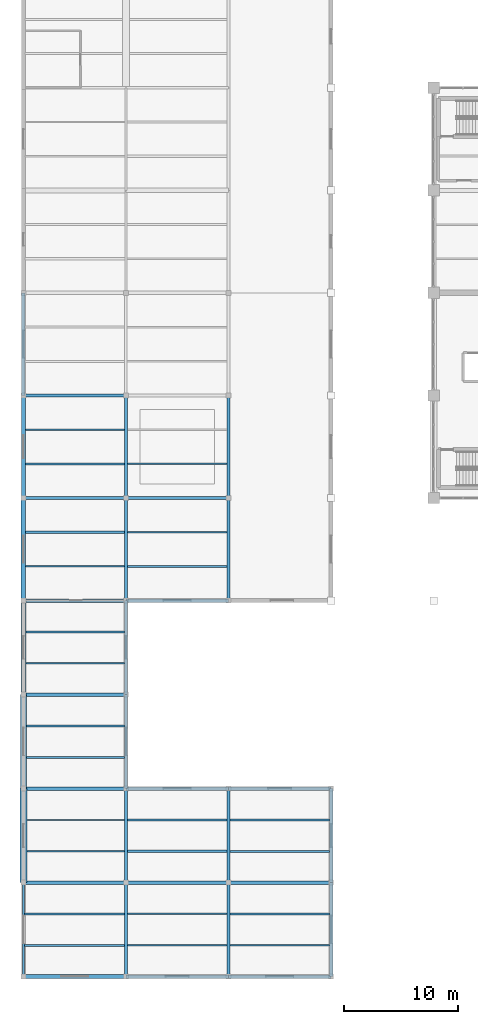
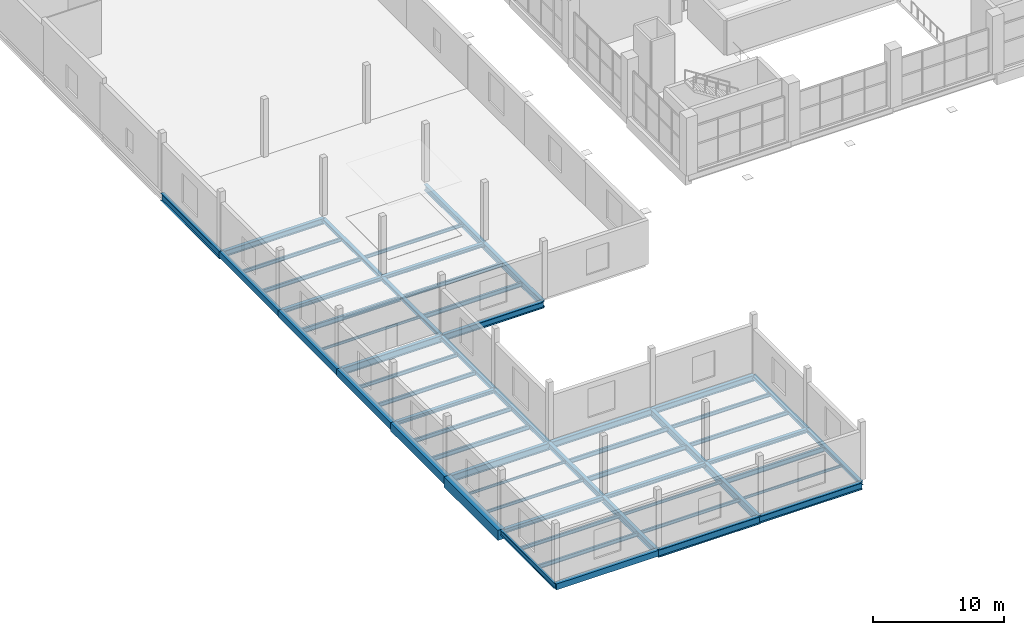
# One storey, part 12 of 147: 57 beams.
"""IFC4 building model written with IfcOpenShell, lengths in metres."""

import ifcopenshell
import ifcopenshell.guid

model = None  # the IFC model being written
_history = None  # IfcOwnerHistory: only IFC2X3 demands one
_inside = {}  # id of a spatial element -> (the spatial element, [elements in it])
_under = {}  # id of a project, library or spatial element -> (it, [spatial elements below it])
_declared = {}  # id of a project -> (the project, [libraries it declares])
_typed = {}  # id of a type object -> (the type object, [elements of that type])
_made_of = {}  # id of a material, layer set ... -> (it, [elements and type objects made of it])


def new_model(schema):
    """Start an empty IFC model of exactly this schema.

    Asked for "IFC4X3", IfcOpenShell would pick the latest addendum, in which some entities
    have other attributes; the version numbers below select the first issue.
    IFC2X3 requires an IfcOwnerHistory on every rooted entity: one is made here for all.
    """
    global model, _history
    if schema == "IFC4X3":
        model = ifcopenshell.file(schema_version=(4, 3, 0, 0))
    else:
        model = ifcopenshell.file(schema=schema)
    _inside.clear()
    _under.clear()
    _declared.clear()
    _typed.clear()
    _made_of.clear()
    _history = None
    if model.schema == "IFC2X3":
        org = make("IfcOrganization", Name="unknown")
        user = make(
            "IfcPersonAndOrganization",
            ThePerson=make("IfcPerson", FamilyName="unknown"),
            TheOrganization=org,
        )
        app = make(
            "IfcApplication",
            ApplicationDeveloper=org,
            Version="unknown",
            ApplicationFullName="unknown",
            ApplicationIdentifier="unknown",
        )
        _history = make(
            "IfcOwnerHistory",
            OwningUser=user,
            OwningApplication=app,
            ChangeAction="ADDED",
            CreationDate=0,
        )
    return model


def make(cls, **values):
    """One entity of the class cls with the attributes given. An attribute that is None is left unset."""
    return model.create_entity(
        cls, **{name: value for name, value in values.items() if value is not None}
    )


def rooted(cls, **values):
    """An entity with a GlobalId (a new one), such as an element, a storey or a relation."""
    return make(cls, GlobalId=ifcopenshell.guid.new(), OwnerHistory=_history, **values)


def si_unit(unit_type, name, prefix=None):
    """IfcSIUnit, for example si_unit("LENGTHUNIT", "METRE", prefix="MILLI")."""
    return make("IfcSIUnit", UnitType=unit_type, Prefix=prefix, Name=name)


def assignment(units):
    """IfcUnitAssignment: the units of a project."""
    return None if units is None else make("IfcUnitAssignment", Units=units)


def point(xyz):
    """IfcCartesianPoint."""
    return None if xyz is None else make("IfcCartesianPoint", Coordinates=xyz)


def direction(xyz):
    """IfcDirection."""
    return None if xyz is None else make("IfcDirection", DirectionRatios=xyz)


def frame(location, z_axis=None, x_axis=None):
    """IfcAxis2Placement3D, a coordinate frame: its origin and axes. An axis left out is left unset."""
    return make(
        "IfcAxis2Placement3D",
        Location=point(location),
        Axis=direction(z_axis),
        RefDirection=direction(x_axis),
    )


def frame_2d(location, x_axis=None):
    """IfcAxis2Placement2D, a coordinate frame in the plane: its origin and x axis."""
    return make(
        "IfcAxis2Placement2D", Location=point(location), RefDirection=direction(x_axis)
    )


def origin():
    """The frame at (0, 0, 0) with its axes left unset."""
    return frame((0.0, 0.0, 0.0))


def origin_2d():
    """The frame at (0, 0) in the plane with its x axis left unset."""
    return frame_2d((0.0, 0.0))


def place(relative_to, where):
    """IfcLocalPlacement: puts the frame where relative to a parent placement (None: the world)."""
    return make(
        "IfcLocalPlacement", PlacementRelTo=relative_to, RelativePlacement=where
    )


def context(
    kind, dimensions, precision=None, world=None, true_north=None, identifier=None
):
    """IfcGeometricRepresentationContext, for example the 3D "Model" context."""
    return make(
        "IfcGeometricRepresentationContext",
        ContextIdentifier=identifier,
        ContextType=kind,
        CoordinateSpaceDimension=dimensions,
        Precision=precision,
        WorldCoordinateSystem=world,
        TrueNorth=true_north,
    )


def subcontext(parent, identifier, kind, view, scale=None):
    """IfcGeometricRepresentationSubContext, for example "Body" below "Model"."""
    return make(
        "IfcGeometricRepresentationSubContext",
        ContextIdentifier=identifier,
        ContextType=kind,
        ParentContext=parent,
        TargetScale=scale,
        TargetView=view,
    )


def project(units=None, contexts=None):
    """IfcProject with its units and contexts."""
    return rooted(
        "IfcProject",
        Name="project",
        RepresentationContexts=contexts,
        UnitsInContext=assignment(units),
    )


def spatial(cls, under=None, at=None, **own):
    """A site, building, storey or space (cls), placed at a placement, below another one or the project."""
    s = rooted(cls, ObjectPlacement=at, **own)
    if under is not None:
        _under.setdefault(under.id(), (under, []))[1].append(s)
    return s


def profile(cls, at=None, kind="AREA", **sizes):
    """A parametric profile (cls). Its sizes go by their IFC names, for example OverallWidth=200.0."""
    return make(cls, ProfileType=kind, Position=at, **sizes)


def rectangle(**sizes):
    """IfcRectangleProfileDef."""
    return profile("IfcRectangleProfileDef", **sizes)


def i_section(**sizes):
    """IfcIShapeProfileDef."""
    return profile("IfcIShapeProfileDef", **sizes)


def extrude(swept, where, along, depth):
    """IfcExtrudedAreaSolid: the profile swept, set in the frame where, extruded along a direction by depth."""
    return make(
        "IfcExtrudedAreaSolid",
        SweptArea=swept,
        Position=where,
        ExtrudedDirection=direction(along),
        Depth=depth,
    )


def shape(context_of_items, identifier, shape_type, items):
    """IfcShapeRepresentation: the items that make up one representation, for example the "Body"."""
    return make(
        "IfcShapeRepresentation",
        ContextOfItems=context_of_items,
        RepresentationIdentifier=identifier,
        RepresentationType=shape_type,
        Items=items,
    )


def material(Name=None, Category=None):
    """IfcMaterial."""
    return make("IfcMaterial", Name=Name, Category=Category)


def material_profile(
    of_material, cross_section, Name=None, Category=None, Priority=None
):
    """IfcMaterialProfile: a cross section and its material."""
    return make(
        "IfcMaterialProfile",
        Name=Name,
        Material=of_material,
        Profile=cross_section,
        Priority=Priority,
        Category=Category,
    )


def profile_set(profiles, Name=None, composite=None):
    """IfcMaterialProfileSet."""
    return make(
        "IfcMaterialProfileSet",
        Name=Name,
        MaterialProfiles=profiles,
        CompositeProfile=composite,
    )


def made_of(thing, what):
    """Note that an element or type object is made of a material, layer set ...; save() writes the relation."""
    if what is not None:
        _made_of.setdefault(what.id(), (what, []))[1].append(thing)
    return thing


def type_object(cls, material=None, **own):
    """A type object (cls), such as IfcWallType, which elements share."""
    return made_of(rooted(cls, **own), material)


def element(
    cls,
    number,
    at=None,
    inside=None,
    cuts=None,
    type_object=None,
    material=None,
    context=None,
    identifier="Body",
    shape_type=None,
    held_by="IfcProductDefinitionShape",
    body=None,
    shapes=None,
    **own,
):
    """One element of the class cls, such as IfcWall. Its Tag is "e" and its number.

    at: its placement. inside: the storey or other place that contains it. cuts: it is an
    opening in that element (IfcRelVoidsElement). A single representation is given by context,
    identifier, shape_type and body (its items); several are given by shapes. held_by: the class
    of the entity that holds the representations. save() writes the other relations.
    """
    e = rooted(cls, Tag="e%d" % number, ObjectPlacement=at, **own)
    if body is not None:
        shapes = [shape(context, identifier, shape_type, body)]
    if shapes is not None:
        e.Representation = make(held_by, Representations=shapes)
    if inside is not None:
        _inside.setdefault(inside.id(), (inside, []))[1].append(e)
    if cuts is not None:
        rooted(
            "IfcRelVoidsElement", RelatingBuildingElement=cuts, RelatedOpeningElement=e
        )
    if type_object is not None:
        _typed.setdefault(type_object.id(), (type_object, []))[1].append(e)
    return made_of(e, material)


def aggregate(whole, parts):
    """IfcRelAggregates: a whole, such as a stair, and the parts it consists of."""
    return rooted("IfcRelAggregates", RelatingObject=whole, RelatedObjects=parts)


def save(model, path):
    """Write the relations noted so far, then the file.

    IfcRelAggregates (storeys below a building ...), IfcRelContainedInSpatialStructure (elements
    in a storey), IfcRelDefinesByType, IfcRelAssociatesMaterial and IfcRelDeclares: one each for
    every whole, place, type object, material and project.
    """
    for whole, parts in _under.values():
        aggregate(whole, parts)
    for where, things in _inside.values():
        rooted(
            "IfcRelContainedInSpatialStructure",
            RelatedElements=things,
            RelatingStructure=where,
        )
    for kind, things in _typed.values():
        rooted("IfcRelDefinesByType", RelatedObjects=things, RelatingType=kind)
    for what, things in _made_of.values():
        rooted("IfcRelAssociatesMaterial", RelatedObjects=things, RelatingMaterial=what)
    for by, libraries in _declared.values():
        rooted("IfcRelDeclares", RelatingContext=by, RelatedDefinitions=libraries)
    model.write(path)


model = new_model("IFC4")

# Units and contexts
model_context = context("Model", 3, precision=1e-05, world=origin(), true_north=direction((0.0, 1.0)))
body_context = subcontext(model_context, "Body", "Model", "MODEL_VIEW")
ifc_project = project(units=[si_unit("LENGTHUNIT", "METRE"), si_unit("AREAUNIT", "SQUARE_METRE"), si_unit("VOLUMEUNIT", "CUBIC_METRE"), si_unit("PLANEANGLEUNIT", "RADIAN"), si_unit("MASSUNIT", "GRAM", prefix="KILO")], contexts=[model_context])

# Site, building, storey
site_placement = place(None, origin())
site = spatial("IfcSite", under=ifc_project, at=site_placement, CompositionType="ELEMENT")
building_placement = place(site_placement, origin())
building = spatial("IfcBuilding", under=site, at=building_placement, Name="Sundgate Opera House", CompositionType="ELEMENT")
storey_placement = place(building_placement, frame((0.0, 0.0, 6.0)))
storey = spatial("IfcBuildingStorey", under=building, at=storey_placement, Name="L01", CompositionType="ELEMENT", Elevation=6.0)

# Beams
ifc_material_1 = material(Name="Steel S355J2", Category="steel")
ifc_material_profile_1 = material_profile(ifc_material_1, i_section(OverallWidth=0.300048828125, OverallDepth=0.330078125, WebThickness=0.009521484375, FlangeThickness=0.0166015625, at=origin_2d()), Name="HEA 340")
ifc_profile_set_1 = profile_set([ifc_material_profile_1], Name="Steel S355J2")
beam_type_1 = type_object("IfcBeamType", Name="BM-GR-HEA340", PredefinedType="BEAM", material=ifc_profile_set_1)
beam_1_placement = place(storey_placement, frame((9.0, 42.0, -0.465087890625), z_axis=(0.0, 1.0, 0.0), x_axis=(-1.0, 0.0, 0.0)))
element("IfcBeam", 1, at=beam_1_placement, inside=storey, type_object=beam_type_1, Name="L01 Primary N-S Girder B1085", PredefinedType="BEAM", context=body_context, shape_type="SweptSolid", body=[
    extrude(i_section(OverallWidth=0.300048828125, OverallDepth=0.330078125, WebThickness=0.009521484375, FlangeThickness=0.0166015625, at=origin_2d()), origin(), (0.0, 0.0, 1.0), 9.0),
])
beam_2_placement = place(storey_placement, frame((27.0, 8.25, -0.465087890625), z_axis=(0.0, 1.0, 0.0), x_axis=(-1.0, 0.0, 0.0)))
element("IfcBeam", 2, at=beam_2_placement, inside=storey, type_object=beam_type_1, Name="L01 Primary N-S Girder B1107", PredefinedType="BEAM", context=body_context, shape_type="SweptSolid", body=[
    extrude(i_section(OverallWidth=0.300048828125, OverallDepth=0.330078125, WebThickness=0.009521484375, FlangeThickness=0.0166015625, at=origin_2d()), origin(), (0.0, 0.0, 1.0), 8.25),
])
for number, where, z_axis, x_axis, name in (
    (3, (18.0, 8.25, -0.465087890625), (1.0, 0.0, 0.0), (0.0, 1.0, 0.0), "L01 Primary E-W Girder B1283"),
    (4, (0.0, 24.75, -0.465087890625), (1.0, 0.0, 0.0), (0.0, 1.0, 0.0), "L01 Primary E-W Girder B1305"),
    (5, (9.0, 42.0, -0.465087890625), (1.0, 0.0, 0.0), (0.0, 1.0, 0.0), "L01 Primary E-W Girder B1327"),
):
    element("IfcBeam", number, at=place(storey_placement, frame(where, z_axis=z_axis, x_axis=x_axis)), inside=storey, type_object=beam_type_1, Name=name, PredefinedType="BEAM", context=body_context, shape_type="SweptSolid", body=[
        extrude(i_section(OverallWidth=0.300048828125, OverallDepth=0.330078125, WebThickness=0.009521484375, FlangeThickness=0.0166015625, at=origin_2d()), origin(), (0.0, 0.0, 1.0), 9.0),
    ])
ifc_material_2 = material(Name="Steel S355J2", Category="steel")
ifc_material_profile_2 = material_profile(ifc_material_2, i_section(OverallWidth=0.300048828125, OverallDepth=0.35009765625, WebThickness=0.010009765625, FlangeThickness=0.017578125, at=origin_2d()), Name="HEA 360")
ifc_profile_set_2 = profile_set([ifc_material_profile_2], Name="Steel S355J2")
beam_type_2 = type_object("IfcBeamType", Name="BM-GR-HEA360", PredefinedType="BEAM", material=ifc_profile_set_2)
beam_3_placement = place(storey_placement, frame((9.0, 33.0, -0.47509765625), z_axis=(0.0, 1.0, 0.0), x_axis=(-1.0, 0.0, 0.0)))
element("IfcBeam", 6, at=beam_3_placement, inside=storey, type_object=beam_type_2, Name="L01 Primary N-S Girder B1084", PredefinedType="BEAM", context=body_context, shape_type="SweptSolid", body=[
    extrude(i_section(OverallWidth=0.300048828125, OverallDepth=0.35009765625, WebThickness=0.010009765625, FlangeThickness=0.017578125, at=origin_2d()), origin(), (0.0, 0.0, 1.0), 9.0),
])
beam_4_placement = place(storey_placement, frame((27.0, 0.0, -0.47509765625), z_axis=(0.0, 1.0, 0.0), x_axis=(-1.0, 0.0, 0.0)))
element("IfcBeam", 7, at=beam_4_placement, inside=storey, type_object=beam_type_2, Name="L01 Primary N-S Girder B1106", PredefinedType="BEAM", context=body_context, shape_type="SweptSolid", body=[
    extrude(i_section(OverallWidth=0.300048828125, OverallDepth=0.35009765625, WebThickness=0.010009765625, FlangeThickness=0.017578125, at=origin_2d()), origin(), (0.0, 0.0, 1.0), 8.25),
])
for number, where, z_axis, x_axis, name in (
    (8, (9.0, 8.25, -0.47509765625), (1.0, 0.0, 0.0), (0.0, 1.0, 0.0), "L01 Primary E-W Girder B1282"),
    (9, (0.0, 42.0, -0.47509765625), (1.0, 0.0, 0.0), (0.0, 1.0, 0.0), "L01 Primary E-W Girder B1326"),
):
    element("IfcBeam", number, at=place(storey_placement, frame(where, z_axis=z_axis, x_axis=x_axis)), inside=storey, type_object=beam_type_2, Name=name, PredefinedType="BEAM", context=body_context, shape_type="SweptSolid", body=[
        extrude(i_section(OverallWidth=0.300048828125, OverallDepth=0.35009765625, WebThickness=0.010009765625, FlangeThickness=0.017578125, at=origin_2d()), origin(), (0.0, 0.0, 1.0), 9.0),
    ])
ifc_material_3 = material(Name="Steel S355J2", Category="steel")
ifc_material_profile_3 = material_profile(ifc_material_3, i_section(OverallWidth=0.300048828125, OverallDepth=0.389892578125, WebThickness=0.010986328125, FlangeThickness=0.01904296875, at=origin_2d()), Name="HEA 400")
ifc_profile_set_3 = profile_set([ifc_material_profile_3], Name="Steel S355J2")
beam_type_3 = type_object("IfcBeamType", Name="BM-GR-HEA400", PredefinedType="BEAM", material=ifc_profile_set_3)
beam_5_placement = place(storey_placement, frame((9.0, 24.75, -0.4951171875), z_axis=(0.0, 1.0, 0.0), x_axis=(-1.0, 0.0, 0.0)))
element("IfcBeam", 10, at=beam_5_placement, inside=storey, type_object=beam_type_3, Name="L01 Primary N-S Girder B1083", PredefinedType="BEAM", context=body_context, shape_type="SweptSolid", body=[
    extrude(i_section(OverallWidth=0.300048828125, OverallDepth=0.389892578125, WebThickness=0.010986328125, FlangeThickness=0.01904296875, at=origin_2d()), origin(), (0.0, 0.0, 1.0), 8.25),
])
beam_6_placement = place(storey_placement, frame((0.0, 8.25, -0.4951171875), z_axis=(1.0, 0.0, 0.0), x_axis=(0.0, 1.0, 0.0)))
element("IfcBeam", 11, at=beam_6_placement, inside=storey, type_object=beam_type_3, Name="L01 Primary E-W Girder B1281", PredefinedType="BEAM", context=body_context, shape_type="SweptSolid", body=[
    extrude(i_section(OverallWidth=0.300048828125, OverallDepth=0.389892578125, WebThickness=0.010986328125, FlangeThickness=0.01904296875, at=origin_2d()), origin(), (0.0, 0.0, 1.0), 9.0),
])
ifc_material_4 = material(Name="Steel S355J2", Category="steel")
ifc_material_profile_4 = material_profile(ifc_material_4, i_section(OverallWidth=0.300048828125, OverallDepth=0.43994140625, WebThickness=0.011474609375, FlangeThickness=0.02099609375, at=origin_2d()), Name="HEA 450")
ifc_profile_set_4 = profile_set([ifc_material_profile_4], Name="Steel S355J2")
beam_type_4 = type_object("IfcBeamType", Name="BM-GR-HEA450", PredefinedType="BEAM", material=ifc_profile_set_4)
beam_7_placement = place(storey_placement, frame((9.0, 16.5, -0.52001953125), z_axis=(0.0, 1.0, 0.0), x_axis=(-1.0, 0.0, 0.0)))
element("IfcBeam", 12, at=beam_7_placement, inside=storey, type_object=beam_type_4, Name="L01 Primary N-S Girder B1082", PredefinedType="BEAM", context=body_context, shape_type="SweptSolid", body=[
    extrude(i_section(OverallWidth=0.300048828125, OverallDepth=0.43994140625, WebThickness=0.011474609375, FlangeThickness=0.02099609375, at=origin_2d()), origin(), (0.0, 0.0, 1.0), 8.25),
])
ifc_material_5 = material(Name="Steel S355J2", Category="steel")
ifc_material_profile_5 = material_profile(ifc_material_5, i_section(OverallWidth=0.300048828125, OverallDepth=0.489990234375, WebThickness=0.011962890625, FlangeThickness=0.02294921875, at=origin_2d()), Name="HEA 500")
ifc_profile_set_5 = profile_set([ifc_material_profile_5], Name="Steel S355J2")
beam_type_5 = type_object("IfcBeamType", Name="BM-GR-HEA500", PredefinedType="BEAM", material=ifc_profile_set_5)
beam_8_placement = place(storey_placement, frame((9.0, 8.25, -0.544921875), z_axis=(0.0, 1.0, 0.0), x_axis=(-1.0, 0.0, 0.0)))
element("IfcBeam", 13, at=beam_8_placement, inside=storey, type_object=beam_type_5, Name="L01 Primary N-S Girder B1081", PredefinedType="BEAM", context=body_context, shape_type="SweptSolid", body=[
    extrude(i_section(OverallWidth=0.300048828125, OverallDepth=0.489990234375, WebThickness=0.011962890625, FlangeThickness=0.02294921875, at=origin_2d()), origin(), (0.0, 0.0, 1.0), 8.25),
])
ifc_material_6 = material(Name="Steel S355J2", Category="steel")
ifc_material_profile_6 = material_profile(ifc_material_6, i_section(OverallWidth=0.300048828125, OverallDepth=0.590087890625, WebThickness=0.012939453125, FlangeThickness=0.02490234375, at=origin_2d()), Name="HEA 600")
ifc_profile_set_6 = profile_set([ifc_material_profile_6], Name="Steel S355J2")
beam_type_6 = type_object("IfcBeamType", Name="BM-GR-HEA600", PredefinedType="BEAM", material=ifc_profile_set_6)
beam_9_placement = place(storey_placement, frame((9.0, 0.0, -0.594970703125), z_axis=(0.0, 1.0, 0.0), x_axis=(-1.0, 0.0, 0.0)))
element("IfcBeam", 14, at=beam_9_placement, inside=storey, type_object=beam_type_6, Name="L01 Primary N-S Girder B1080", PredefinedType="BEAM", context=body_context, shape_type="SweptSolid", body=[
    extrude(i_section(OverallWidth=0.300048828125, OverallDepth=0.590087890625, WebThickness=0.012939453125, FlangeThickness=0.02490234375, at=origin_2d()), origin(), (0.0, 0.0, 1.0), 8.25),
])
ifc_material_7 = material(Name="Steel S355J2", Category="steel")
ifc_material_profile_7 = material_profile(ifc_material_7, i_section(OverallWidth=0.300048828125, OverallDepth=0.550048828125, WebThickness=0.014892578125, FlangeThickness=0.029052734375, at=origin_2d()), Name="HEB 550")
ifc_profile_set_7 = profile_set([ifc_material_profile_7], Name="Steel S355J2")
beam_type_7 = type_object("IfcBeamType", Name="BM-GR-HEB550", PredefinedType="BEAM", material=ifc_profile_set_7)
for number, where, z_axis, x_axis, name in (
    (15, (18.0, 42.0, -0.574951171875), (0.0, 1.0, 0.0), (-1.0, 0.0, 0.0), "L01 Primary N-S Girder B1097"),
    (16, (18.0, 16.5, -0.574951171875), (1.0, 0.0, 0.0), (0.0, 1.0, 0.0), "L01 Primary E-W Girder B1295"),
    (17, (0.0, 51.0, -0.574951171875), (1.0, 0.0, 0.0), (0.0, 1.0, 0.0), "L01 Primary E-W Girder B1339"),
):
    element("IfcBeam", number, at=place(storey_placement, frame(where, z_axis=z_axis, x_axis=x_axis)), inside=storey, type_object=beam_type_7, Name=name, PredefinedType="BEAM", context=body_context, shape_type="SweptSolid", body=[
        extrude(i_section(OverallWidth=0.300048828125, OverallDepth=0.550048828125, WebThickness=0.014892578125, FlangeThickness=0.029052734375, at=origin_2d()), origin(), (0.0, 0.0, 1.0), 9.0),
    ])
ifc_material_8 = material(Name="Steel S355J2", Category="steel")
ifc_material_profile_8 = material_profile(ifc_material_8, i_section(OverallWidth=0.300048828125, OverallDepth=0.60009765625, WebThickness=0.015380859375, FlangeThickness=0.030029296875, at=origin_2d()), Name="HEB 600")
ifc_profile_set_8 = profile_set([ifc_material_profile_8], Name="Steel S355J2")
beam_type_8 = type_object("IfcBeamType", Name="BM-GR-HEB600", PredefinedType="BEAM", material=ifc_profile_set_8)
for number, where, z_axis, x_axis, name in (
    (18, (18.0, 33.0, -0.60009765625), (0.0, 1.0, 0.0), (-1.0, 0.0, 0.0), "L01 Primary N-S Girder B1096"),
    (19, (9.0, 16.5, -0.60009765625), (1.0, 0.0, 0.0), (0.0, 1.0, 0.0), "L01 Primary E-W Girder B1294"),
    (20, (9.0, 33.0, -0.60009765625), (1.0, 0.0, 0.0), (0.0, 1.0, 0.0), "L01 Primary E-W Girder B1316"),
):
    element("IfcBeam", number, at=place(storey_placement, frame(where, z_axis=z_axis, x_axis=x_axis)), inside=storey, type_object=beam_type_8, Name=name, PredefinedType="BEAM", context=body_context, shape_type="SweptSolid", body=[
        extrude(i_section(OverallWidth=0.300048828125, OverallDepth=0.60009765625, WebThickness=0.015380859375, FlangeThickness=0.030029296875, at=origin_2d()), origin(), (0.0, 0.0, 1.0), 9.0),
    ])
ifc_material_9 = material(Name="Steel S355J2", Category="steel")
ifc_material_profile_9 = material_profile(ifc_material_9, i_section(OverallWidth=0.300048828125, OverallDepth=0.64990234375, WebThickness=0.01611328125, FlangeThickness=0.031005859375, at=origin_2d()), Name="HEB 650")
ifc_profile_set_9 = profile_set([ifc_material_profile_9], Name="Steel S355J2")
beam_type_9 = type_object("IfcBeamType", Name="BM-GR-HEB650", PredefinedType="BEAM", material=ifc_profile_set_9)
beam_10_placement = place(storey_placement, frame((18.0, 8.25, -0.625), z_axis=(0.0, 1.0, 0.0), x_axis=(-1.0, 0.0, 0.0)))
element("IfcBeam", 21, at=beam_10_placement, inside=storey, type_object=beam_type_9, Name="L01 Primary N-S Girder B1095", PredefinedType="BEAM", context=body_context, shape_type="SweptSolid", body=[
    extrude(i_section(OverallWidth=0.300048828125, OverallDepth=0.64990234375, WebThickness=0.01611328125, FlangeThickness=0.031005859375, at=origin_2d()), origin(), (0.0, 0.0, 1.0), 8.25),
])
for number, where, z_axis, x_axis, name in (
    (22, (18.0, 0.0, -0.625), (1.0, 0.0, 0.0), (0.0, 1.0, 0.0), "L01 Primary E-W Girder B1271"),
    (23, (0.0, 16.5, -0.625), (1.0, 0.0, 0.0), (0.0, 1.0, 0.0), "L01 Primary E-W Girder B1293"),
    (24, (0.0, 33.0, -0.625), (1.0, 0.0, 0.0), (0.0, 1.0, 0.0), "L01 Primary E-W Girder B1315"),
):
    element("IfcBeam", number, at=place(storey_placement, frame(where, z_axis=z_axis, x_axis=x_axis)), inside=storey, type_object=beam_type_9, Name=name, PredefinedType="BEAM", context=body_context, shape_type="SweptSolid", body=[
        extrude(i_section(OverallWidth=0.300048828125, OverallDepth=0.64990234375, WebThickness=0.01611328125, FlangeThickness=0.031005859375, at=origin_2d()), origin(), (0.0, 0.0, 1.0), 9.0),
    ])
ifc_material_10 = material(Name="Steel S355J2", Category="steel")
ifc_material_profile_10 = material_profile(ifc_material_10, i_section(OverallWidth=0.300048828125, OverallDepth=0.699951171875, WebThickness=0.01708984375, FlangeThickness=0.031982421875, at=origin_2d()), Name="HEB 700")
ifc_profile_set_10 = profile_set([ifc_material_profile_10], Name="Steel S355J2")
beam_type_10 = type_object("IfcBeamType", Name="BM-GR-HEB700", PredefinedType="BEAM", material=ifc_profile_set_10)
beam_11_placement = place(storey_placement, frame((0.0, 51.0, -0.64990234375), z_axis=(0.0, 1.0, 0.0), x_axis=(-1.0, 0.0, 0.0)))
element("IfcBeam", 25, at=beam_11_placement, inside=storey, type_object=beam_type_10, Name="L01 Primary N-S Girder B1072", PredefinedType="BEAM", context=body_context, shape_type="SweptSolid", body=[
    extrude(i_section(OverallWidth=0.300048828125, OverallDepth=0.699951171875, WebThickness=0.01708984375, FlangeThickness=0.031982421875, at=origin_2d()), origin(), (0.0, 0.0, 1.0), 9.0),
])
beam_12_placement = place(storey_placement, frame((18.0, 0.0, -0.64990234375), z_axis=(0.0, 1.0, 0.0), x_axis=(-1.0, 0.0, 0.0)))
element("IfcBeam", 26, at=beam_12_placement, inside=storey, type_object=beam_type_10, Name="L01 Primary N-S Girder B1094", PredefinedType="BEAM", context=body_context, shape_type="SweptSolid", body=[
    extrude(i_section(OverallWidth=0.300048828125, OverallDepth=0.699951171875, WebThickness=0.01708984375, FlangeThickness=0.031982421875, at=origin_2d()), origin(), (0.0, 0.0, 1.0), 8.25),
])
beam_13_placement = place(storey_placement, frame((9.0, 0.0, -0.64990234375), z_axis=(1.0, 0.0, 0.0), x_axis=(0.0, 1.0, 0.0)))
element("IfcBeam", 27, at=beam_13_placement, inside=storey, type_object=beam_type_10, Name="L01 Primary E-W Girder B1270", PredefinedType="BEAM", context=body_context, shape_type="SweptSolid", body=[
    extrude(i_section(OverallWidth=0.300048828125, OverallDepth=0.699951171875, WebThickness=0.01708984375, FlangeThickness=0.031982421875, at=origin_2d()), origin(), (0.0, 0.0, 1.0), 9.0),
])
ifc_material_11 = material(Name="Steel S355J2", Category="steel")
ifc_material_profile_11 = material_profile(ifc_material_11, i_section(OverallWidth=0.199951171875, OverallDepth=0.5, WebThickness=0.01025390625, FlangeThickness=0.01611328125, at=origin_2d()), Name="IPE 500")
ifc_profile_set_11 = profile_set([ifc_material_profile_11], Name="Steel S355J2")
beam_type_11 = type_object("IfcBeamType", Name="BM-GR-IPE500", PredefinedType="BEAM", material=ifc_profile_set_11)
beam_14_placement = place(storey_placement, frame((0.0, 0.0, -0.550048828125), z_axis=(0.0, 1.0, 0.0), x_axis=(-1.0, 0.0, 0.0)))
element("IfcBeam", 28, at=beam_14_placement, inside=storey, type_object=beam_type_11, Name="L01 Primary N-S Girder B1066", PredefinedType="BEAM", context=body_context, shape_type="SweptSolid", body=[
    extrude(i_section(OverallWidth=0.199951171875, OverallDepth=0.5, WebThickness=0.01025390625, FlangeThickness=0.01611328125, at=origin_2d()), origin(), (0.0, 0.0, 1.0), 8.25),
])
ifc_material_12 = material(Name="Steel S355J2", Category="steel")
ifc_material_profile_12 = material_profile(ifc_material_12, i_section(OverallWidth=0.1201171875, OverallDepth=0.239990234375, WebThickness=0.006103515625, FlangeThickness=0.009765625, at=origin_2d()), Name="IPE 240")
ifc_profile_set_12 = profile_set([ifc_material_profile_12], Name="Steel S355J2")
beam_type_12 = type_object("IfcBeamType", Name="BM-JS-IPE240", PredefinedType="JOIST", material=ifc_profile_set_12)
beam_15_placement = place(storey_placement, frame((18.14990234375, 2.75, -0.419921875), z_axis=(1.0, 0.0, 0.0), x_axis=(0.0, 1.0, 0.0)))
element("IfcBeam", 29, at=beam_15_placement, inside=storey, type_object=beam_type_12, Name="L01 Secondary Floor Joist B1476", PredefinedType="JOIST", context=body_context, shape_type="SweptSolid", body=[
    extrude(i_section(OverallWidth=0.1201171875, OverallDepth=0.239990234375, WebThickness=0.006103515625, FlangeThickness=0.009765625, at=origin_2d()), origin(), (0.0, 0.0, 1.0), 8.7001953125),
])
beam_16_placement = place(storey_placement, frame((0.300048828125, 13.75, -0.419921875), z_axis=(1.0, 0.0, 0.0), x_axis=(0.0, 1.0, 0.0)))
element("IfcBeam", 30, at=beam_16_placement, inside=storey, type_object=beam_type_12, Name="L01 Secondary Floor Joist B1497", PredefinedType="JOIST", context=body_context, shape_type="SweptSolid", body=[
    extrude(i_section(OverallWidth=0.1201171875, OverallDepth=0.239990234375, WebThickness=0.006103515625, FlangeThickness=0.009765625, at=origin_2d()), origin(), (0.0, 0.0, 1.0), 8.550048828125),
])
beam_17_placement = place(storey_placement, frame((0.199951171875, 36.0, -0.419921875), z_axis=(1.0, 0.0, 0.0), x_axis=(0.0, 1.0, 0.0)))
element("IfcBeam", 31, at=beam_17_placement, inside=storey, type_object=beam_type_12, Name="L01 Secondary Floor Joist B1553", PredefinedType="JOIST", context=body_context, shape_type="SweptSolid", body=[
    extrude(i_section(OverallWidth=0.1201171875, OverallDepth=0.239990234375, WebThickness=0.006103515625, FlangeThickness=0.009765625, at=origin_2d()), origin(), (0.0, 0.0, 1.0), 8.650146484375),
])
ifc_material_13 = material(Name="Steel S355J2", Category="steel")
ifc_material_profile_13 = material_profile(ifc_material_13, i_section(OverallWidth=0.135009765625, OverallDepth=0.27001953125, WebThickness=0.006591796875, FlangeThickness=0.01025390625, at=origin_2d()), Name="IPE 270")
ifc_profile_set_13 = profile_set([ifc_material_profile_13], Name="Steel S355J2")
beam_type_13 = type_object("IfcBeamType", Name="BM-JS-IPE270", PredefinedType="JOIST", material=ifc_profile_set_13)
beam_18_placement = place(storey_placement, frame((9.14990234375, 5.5, -0.43505859375), z_axis=(1.0, 0.0, 0.0), x_axis=(0.0, 1.0, 0.0)))
element("IfcBeam", 32, at=beam_18_placement, inside=storey, type_object=beam_type_13, Name="L01 Secondary Floor Joist B1475", PredefinedType="JOIST", context=body_context, shape_type="SweptSolid", body=[
    extrude(i_section(OverallWidth=0.135009765625, OverallDepth=0.27001953125, WebThickness=0.006591796875, FlangeThickness=0.01025390625, at=origin_2d()), origin(), (0.0, 0.0, 1.0), 8.7001953125),
])
beam_19_placement = place(storey_placement, frame((0.300048828125, 11.0, -0.43505859375), z_axis=(1.0, 0.0, 0.0), x_axis=(0.0, 1.0, 0.0)))
element("IfcBeam", 33, at=beam_19_placement, inside=storey, type_object=beam_type_13, Name="L01 Secondary Floor Joist B1496", PredefinedType="JOIST", context=body_context, shape_type="SweptSolid", body=[
    extrude(i_section(OverallWidth=0.135009765625, OverallDepth=0.27001953125, WebThickness=0.006591796875, FlangeThickness=0.01025390625, at=origin_2d()), origin(), (0.0, 0.0, 1.0), 8.550048828125),
])
ifc_material_14 = material(Name="Steel S355J2", Category="steel")
ifc_material_profile_14 = material_profile(ifc_material_14, i_section(OverallWidth=0.14990234375, OverallDepth=0.300048828125, WebThickness=0.007080078125, FlangeThickness=0.0107421875, at=origin_2d()), Name="IPE 300")
ifc_profile_set_14 = profile_set([ifc_material_profile_14], Name="Steel S355J2")
beam_type_14 = type_object("IfcBeamType", Name="BM-JS-IPE300", PredefinedType="JOIST", material=ifc_profile_set_14)
for number, where, z_axis, x_axis, name in (
    (34, (9.14990234375, 2.75, -0.449951171875), (1.0, 0.0, 0.0), (0.0, 1.0, 0.0), "L01 Secondary Floor Joist B1474"),
    (35, (9.14990234375, 45.0, -0.449951171875), (1.0, 0.0, 0.0), (0.0, 1.0, 0.0), "L01 Secondary Floor Joist B1572"),
):
    element("IfcBeam", number, at=place(storey_placement, frame(where, z_axis=z_axis, x_axis=x_axis)), inside=storey, type_object=beam_type_14, Name=name, PredefinedType="JOIST", context=body_context, shape_type="SweptSolid", body=[
        extrude(i_section(OverallWidth=0.14990234375, OverallDepth=0.300048828125, WebThickness=0.007080078125, FlangeThickness=0.0107421875, at=origin_2d()), origin(), (0.0, 0.0, 1.0), 8.7001953125),
    ])
ifc_material_15 = material(Name="Steel S355J2", Category="steel")
ifc_material_profile_15 = material_profile(ifc_material_15, i_section(OverallWidth=0.159912109375, OverallDepth=0.330078125, WebThickness=0.007568359375, FlangeThickness=0.011474609375, at=origin_2d()), Name="IPE 330")
ifc_profile_set_15 = profile_set([ifc_material_profile_15], Name="Steel S355J2")
beam_type_15 = type_object("IfcBeamType", Name="BM-JS-IPE330", PredefinedType="JOIST", material=ifc_profile_set_15)
beam_20_placement = place(storey_placement, frame((0.10009765625, 5.5, -0.465087890625), z_axis=(1.0, 0.0, 0.0), x_axis=(0.0, 1.0, 0.0)))
element("IfcBeam", 36, at=beam_20_placement, inside=storey, type_object=beam_type_15, Name="L01 Secondary Floor Joist B1473", PredefinedType="JOIST", context=body_context, shape_type="SweptSolid", body=[
    extrude(i_section(OverallWidth=0.159912109375, OverallDepth=0.330078125, WebThickness=0.007568359375, FlangeThickness=0.011474609375, at=origin_2d()), origin(), (0.0, 0.0, 1.0), 8.75),
])
beam_21_placement = place(storey_placement, frame((18.14990234375, 13.75, -0.465087890625), z_axis=(1.0, 0.0, 0.0), x_axis=(0.0, 1.0, 0.0)))
element("IfcBeam", 37, at=beam_21_placement, inside=storey, type_object=beam_type_15, Name="L01 Secondary Floor Joist B1501", PredefinedType="JOIST", context=body_context, shape_type="SweptSolid", body=[
    extrude(i_section(OverallWidth=0.159912109375, OverallDepth=0.330078125, WebThickness=0.007568359375, FlangeThickness=0.011474609375, at=origin_2d()), origin(), (0.0, 0.0, 1.0), 8.7001953125),
])
beam_22_placement = place(storey_placement, frame((0.22509765625, 30.25, -0.465087890625), z_axis=(1.0, 0.0, 0.0), x_axis=(0.0, 1.0, 0.0)))
element("IfcBeam", 38, at=beam_22_placement, inside=storey, type_object=beam_type_15, Name="L01 Secondary Floor Joist B1536", PredefinedType="JOIST", context=body_context, shape_type="SweptSolid", body=[
    extrude(i_section(OverallWidth=0.159912109375, OverallDepth=0.330078125, WebThickness=0.007568359375, FlangeThickness=0.011474609375, at=origin_2d()), origin(), (0.0, 0.0, 1.0), 8.625),
])
beam_23_placement = place(storey_placement, frame((0.175048828125, 48.0, -0.465087890625), z_axis=(1.0, 0.0, 0.0), x_axis=(0.0, 1.0, 0.0)))
element("IfcBeam", 39, at=beam_23_placement, inside=storey, type_object=beam_type_15, Name="L01 Secondary Floor Joist B1571", PredefinedType="JOIST", context=body_context, shape_type="SweptSolid", body=[
    extrude(i_section(OverallWidth=0.159912109375, OverallDepth=0.330078125, WebThickness=0.007568359375, FlangeThickness=0.011474609375, at=origin_2d()), origin(), (0.0, 0.0, 1.0), 8.675048828125),
])
ifc_material_16 = material(Name="Steel S355J2", Category="steel")
ifc_material_profile_16 = material_profile(ifc_material_16, i_section(OverallWidth=0.169921875, OverallDepth=0.360107421875, WebThickness=0.008056640625, FlangeThickness=0.0126953125, at=origin_2d()), Name="IPE 360")
ifc_profile_set_16 = profile_set([ifc_material_profile_16], Name="Steel S355J2")
beam_type_16 = type_object("IfcBeamType", Name="BM-JS-IPE360", PredefinedType="JOIST", material=ifc_profile_set_16)
beam_24_placement = place(storey_placement, frame((0.10009765625, 2.75, -0.47998046875), z_axis=(1.0, 0.0, 0.0), x_axis=(0.0, 1.0, 0.0)))
element("IfcBeam", 40, at=beam_24_placement, inside=storey, type_object=beam_type_16, Name="L01 Secondary Floor Joist B1472", PredefinedType="JOIST", context=body_context, shape_type="SweptSolid", body=[
    extrude(i_section(OverallWidth=0.169921875, OverallDepth=0.360107421875, WebThickness=0.008056640625, FlangeThickness=0.0126953125, at=origin_2d()), origin(), (0.0, 0.0, 1.0), 8.75),
])
beam_25_placement = place(storey_placement, frame((18.14990234375, 11.0, -0.47998046875), z_axis=(1.0, 0.0, 0.0), x_axis=(0.0, 1.0, 0.0)))
element("IfcBeam", 41, at=beam_25_placement, inside=storey, type_object=beam_type_16, Name="L01 Secondary Floor Joist B1500", PredefinedType="JOIST", context=body_context, shape_type="SweptSolid", body=[
    extrude(i_section(OverallWidth=0.169921875, OverallDepth=0.360107421875, WebThickness=0.008056640625, FlangeThickness=0.0126953125, at=origin_2d()), origin(), (0.0, 0.0, 1.0), 8.7001953125),
])
beam_26_placement = place(storey_placement, frame((0.25, 22.0, -0.47998046875), z_axis=(1.0, 0.0, 0.0), x_axis=(0.0, 1.0, 0.0)))
element("IfcBeam", 42, at=beam_26_placement, inside=storey, type_object=beam_type_16, Name="L01 Secondary Floor Joist B1521", PredefinedType="JOIST", context=body_context, shape_type="SweptSolid", body=[
    extrude(i_section(OverallWidth=0.169921875, OverallDepth=0.360107421875, WebThickness=0.008056640625, FlangeThickness=0.0126953125, at=origin_2d()), origin(), (0.0, 0.0, 1.0), 8.60009765625),
])
beam_27_placement = place(storey_placement, frame((0.22509765625, 27.5, -0.47998046875), z_axis=(1.0, 0.0, 0.0), x_axis=(0.0, 1.0, 0.0)))
element("IfcBeam", 43, at=beam_27_placement, inside=storey, type_object=beam_type_16, Name="L01 Secondary Floor Joist B1535", PredefinedType="JOIST", context=body_context, shape_type="SweptSolid", body=[
    extrude(i_section(OverallWidth=0.169921875, OverallDepth=0.360107421875, WebThickness=0.008056640625, FlangeThickness=0.0126953125, at=origin_2d()), origin(), (0.0, 0.0, 1.0), 8.625),
])
beam_28_placement = place(storey_placement, frame((9.14990234375, 39.0, -0.47998046875), z_axis=(1.0, 0.0, 0.0), x_axis=(0.0, 1.0, 0.0)))
element("IfcBeam", 44, at=beam_28_placement, inside=storey, type_object=beam_type_16, Name="L01 Secondary Floor Joist B1556", PredefinedType="JOIST", context=body_context, shape_type="SweptSolid", body=[
    extrude(i_section(OverallWidth=0.169921875, OverallDepth=0.360107421875, WebThickness=0.008056640625, FlangeThickness=0.0126953125, at=origin_2d()), origin(), (0.0, 0.0, 1.0), 8.7001953125),
])
beam_29_placement = place(storey_placement, frame((0.175048828125, 45.0, -0.47998046875), z_axis=(1.0, 0.0, 0.0), x_axis=(0.0, 1.0, 0.0)))
element("IfcBeam", 45, at=beam_29_placement, inside=storey, type_object=beam_type_16, Name="L01 Secondary Floor Joist B1570", PredefinedType="JOIST", context=body_context, shape_type="SweptSolid", body=[
    extrude(i_section(OverallWidth=0.169921875, OverallDepth=0.360107421875, WebThickness=0.008056640625, FlangeThickness=0.0126953125, at=origin_2d()), origin(), (0.0, 0.0, 1.0), 8.675048828125),
])
ifc_material_17 = material(Name="Steel S355J2", Category="steel")
ifc_material_profile_17 = material_profile(ifc_material_17, i_section(OverallWidth=0.179931640625, OverallDepth=0.39990234375, WebThickness=0.008544921875, FlangeThickness=0.013427734375, at=origin_2d()), Name="IPE 400")
ifc_profile_set_17 = profile_set([ifc_material_profile_17], Name="Steel S355J2")
beam_type_17 = type_object("IfcBeamType", Name="BM-JS-IPE400", PredefinedType="JOIST", material=ifc_profile_set_17)
beam_30_placement = place(storey_placement, frame((9.14990234375, 13.75, -0.5), z_axis=(1.0, 0.0, 0.0), x_axis=(0.0, 1.0, 0.0)))
element("IfcBeam", 46, at=beam_30_placement, inside=storey, type_object=beam_type_17, Name="L01 Secondary Floor Joist B1499", PredefinedType="JOIST", context=body_context, shape_type="SweptSolid", body=[
    extrude(i_section(OverallWidth=0.179931640625, OverallDepth=0.39990234375, WebThickness=0.008544921875, FlangeThickness=0.013427734375, at=origin_2d()), origin(), (0.0, 0.0, 1.0), 8.7001953125),
])
beam_31_placement = place(storey_placement, frame((0.25, 19.25, -0.5), z_axis=(1.0, 0.0, 0.0), x_axis=(0.0, 1.0, 0.0)))
element("IfcBeam", 47, at=beam_31_placement, inside=storey, type_object=beam_type_17, Name="L01 Secondary Floor Joist B1520", PredefinedType="JOIST", context=body_context, shape_type="SweptSolid", body=[
    extrude(i_section(OverallWidth=0.179931640625, OverallDepth=0.39990234375, WebThickness=0.008544921875, FlangeThickness=0.013427734375, at=origin_2d()), origin(), (0.0, 0.0, 1.0), 8.60009765625),
])
beam_32_placement = place(storey_placement, frame((9.14990234375, 36.0, -0.5), z_axis=(1.0, 0.0, 0.0), x_axis=(0.0, 1.0, 0.0)))
element("IfcBeam", 48, at=beam_32_placement, inside=storey, type_object=beam_type_17, Name="L01 Secondary Floor Joist B1555", PredefinedType="JOIST", context=body_context, shape_type="SweptSolid", body=[
    extrude(i_section(OverallWidth=0.179931640625, OverallDepth=0.39990234375, WebThickness=0.008544921875, FlangeThickness=0.013427734375, at=origin_2d()), origin(), (0.0, 0.0, 1.0), 8.7001953125),
])
ifc_material_18 = material(Name="Steel S355J2", Category="steel")
ifc_material_profile_18 = material_profile(ifc_material_18, i_section(OverallWidth=0.18994140625, OverallDepth=0.449951171875, WebThickness=0.009521484375, FlangeThickness=0.0146484375, at=origin_2d()), Name="IPE 450")
ifc_profile_set_18 = profile_set([ifc_material_profile_18], Name="Steel S355J2")
beam_type_18 = type_object("IfcBeamType", Name="BM-JS-IPE450", PredefinedType="JOIST", material=ifc_profile_set_18)
for number, where, z_axis, x_axis, name in (
    (49, (18.14990234375, 5.5, -0.52490234375), (1.0, 0.0, 0.0), (0.0, 1.0, 0.0), "L01 Secondary Floor Joist B1477"),
    (50, (9.14990234375, 11.0, -0.52490234375), (1.0, 0.0, 0.0), (0.0, 1.0, 0.0), "L01 Secondary Floor Joist B1498"),
):
    element("IfcBeam", number, at=place(storey_placement, frame(where, z_axis=z_axis, x_axis=x_axis)), inside=storey, type_object=beam_type_18, Name=name, PredefinedType="JOIST", context=body_context, shape_type="SweptSolid", body=[
        extrude(i_section(OverallWidth=0.18994140625, OverallDepth=0.449951171875, WebThickness=0.009521484375, FlangeThickness=0.0146484375, at=origin_2d()), origin(), (0.0, 0.0, 1.0), 8.7001953125),
    ])
beam_33_placement = place(storey_placement, frame((0.199951171875, 39.0, -0.52490234375), z_axis=(1.0, 0.0, 0.0), x_axis=(0.0, 1.0, 0.0)))
element("IfcBeam", 51, at=beam_33_placement, inside=storey, type_object=beam_type_18, Name="L01 Secondary Floor Joist B1554", PredefinedType="JOIST", context=body_context, shape_type="SweptSolid", body=[
    extrude(i_section(OverallWidth=0.18994140625, OverallDepth=0.449951171875, WebThickness=0.009521484375, FlangeThickness=0.0146484375, at=origin_2d()), origin(), (0.0, 0.0, 1.0), 8.650146484375),
])
ifc_material_19 = material(Name="Concrete C35/45", Category="concrete")
ifc_material_profile_19 = material_profile(ifc_material_19, rectangle(XDim=0.35009765625, YDim=0.550048828125, at=origin_2d()), Name="RC 350x550")
ifc_profile_set_19 = profile_set([ifc_material_profile_19], Name="Concrete C35/45")
beam_type_19 = type_object("IfcBeamType", Name="BM-RC-350x550", PredefinedType="BEAM", material=ifc_profile_set_19)
for number, where, z_axis, x_axis, name in (
    (52, (0.0, 42.0, -0.574951171875), (0.0, 1.0, 0.0), (-1.0, 0.0, 0.0), "L01 Primary N-S Girder B1071"),
    (53, (0.0, 0.0, -0.574951171875), (1.0, 0.0, 0.0), (0.0, 1.0, 0.0), "L01 Primary E-W Girder B1269"),
):
    element("IfcBeam", number, at=place(storey_placement, frame(where, z_axis=z_axis, x_axis=x_axis)), inside=storey, type_object=beam_type_19, Name=name, PredefinedType="BEAM", context=body_context, shape_type="SweptSolid", body=[
        extrude(rectangle(XDim=0.35009765625, YDim=0.550048828125, at=origin_2d()), origin(), (0.0, 0.0, 1.0), 9.0),
    ])
ifc_material_20 = material(Name="Concrete C35/45", Category="concrete")
ifc_material_profile_20 = material_profile(ifc_material_20, rectangle(XDim=0.39990234375, YDim=0.60009765625, at=origin_2d()), Name="RC 400x600")
ifc_profile_set_20 = profile_set([ifc_material_profile_20], Name="Concrete C35/45")
beam_type_20 = type_object("IfcBeamType", Name="BM-RC-400x600", PredefinedType="BEAM", material=ifc_profile_set_20)
beam_34_placement = place(storey_placement, frame((0.0, 33.0, -0.60009765625), z_axis=(0.0, 1.0, 0.0), x_axis=(-1.0, 0.0, 0.0)))
element("IfcBeam", 54, at=beam_34_placement, inside=storey, type_object=beam_type_20, Name="L01 Primary N-S Girder B1070", PredefinedType="BEAM", context=body_context, shape_type="SweptSolid", body=[
    extrude(rectangle(XDim=0.39990234375, YDim=0.60009765625, at=origin_2d()), origin(), (0.0, 0.0, 1.0), 9.0),
])
ifc_material_21 = material(Name="Concrete C35/45", Category="concrete")
ifc_material_profile_21 = material_profile(ifc_material_21, rectangle(XDim=0.449951171875, YDim=0.64990234375, at=origin_2d()), Name="RC 450x650")
ifc_profile_set_21 = profile_set([ifc_material_profile_21], Name="Concrete C35/45")
beam_type_21 = type_object("IfcBeamType", Name="BM-RC-450x650", PredefinedType="BEAM", material=ifc_profile_set_21)
beam_35_placement = place(storey_placement, frame((0.0, 24.75, -0.625), z_axis=(0.0, 1.0, 0.0), x_axis=(-1.0, 0.0, 0.0)))
element("IfcBeam", 55, at=beam_35_placement, inside=storey, type_object=beam_type_21, Name="L01 Primary N-S Girder B1069", PredefinedType="BEAM", context=body_context, shape_type="SweptSolid", body=[
    extrude(rectangle(XDim=0.449951171875, YDim=0.64990234375, at=origin_2d()), origin(), (0.0, 0.0, 1.0), 8.25),
])
ifc_material_22 = material(Name="Concrete C40/50", Category="concrete")
ifc_material_profile_22 = material_profile(ifc_material_22, rectangle(XDim=0.5, YDim=0.75, at=origin_2d()), Name="RC 500x750")
ifc_profile_set_22 = profile_set([ifc_material_profile_22], Name="Concrete C40/50")
beam_type_22 = type_object("IfcBeamType", Name="BM-RC-500x750", PredefinedType="BEAM", material=ifc_profile_set_22)
beam_36_placement = place(storey_placement, frame((0.0, 16.5, -0.675048828125), z_axis=(0.0, 1.0, 0.0), x_axis=(-1.0, 0.0, 0.0)))
element("IfcBeam", 56, at=beam_36_placement, inside=storey, type_object=beam_type_22, Name="L01 Primary N-S Girder B1068", PredefinedType="BEAM", context=body_context, shape_type="SweptSolid", body=[
    extrude(rectangle(XDim=0.5, YDim=0.75, at=origin_2d()), origin(), (0.0, 0.0, 1.0), 8.25),
])
ifc_material_23 = material(Name="Concrete C40/50", Category="concrete")
ifc_material_profile_23 = material_profile(ifc_material_23, rectangle(XDim=0.60009765625, YDim=0.949951171875, at=origin_2d()), Name="RC 600x950")
ifc_profile_set_23 = profile_set([ifc_material_profile_23], Name="Concrete C40/50")
beam_type_23 = type_object("IfcBeamType", Name="BM-RC-600x950", PredefinedType="BEAM", material=ifc_profile_set_23)
beam_37_placement = place(storey_placement, frame((0.0, 8.25, -0.77490234375), z_axis=(0.0, 1.0, 0.0), x_axis=(-1.0, 0.0, 0.0)))
element("IfcBeam", 57, at=beam_37_placement, inside=storey, type_object=beam_type_23, Name="L01 Primary N-S Girder B1067", PredefinedType="BEAM", context=body_context, shape_type="SweptSolid", body=[
    extrude(rectangle(XDim=0.60009765625, YDim=0.949951171875, at=origin_2d()), origin(), (0.0, 0.0, 1.0), 8.25),
])

save(model, "model.ifc")
